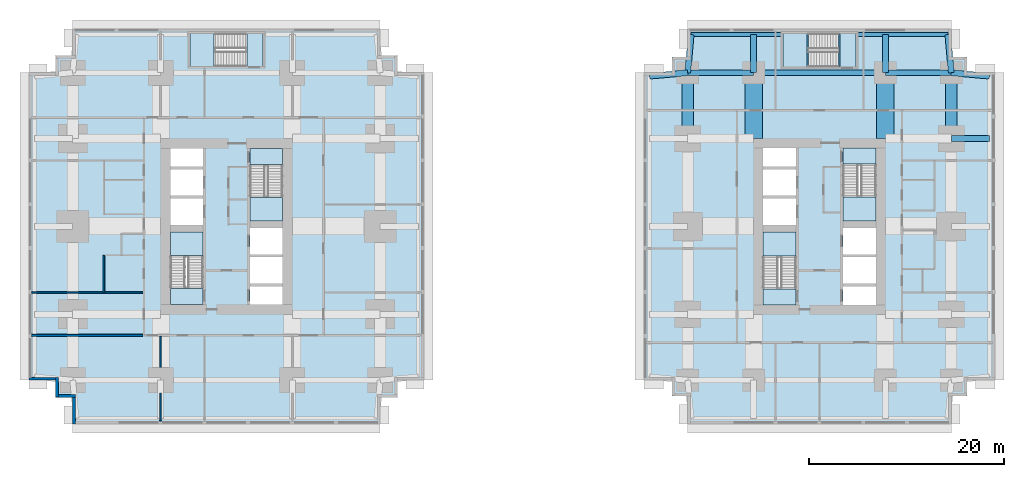
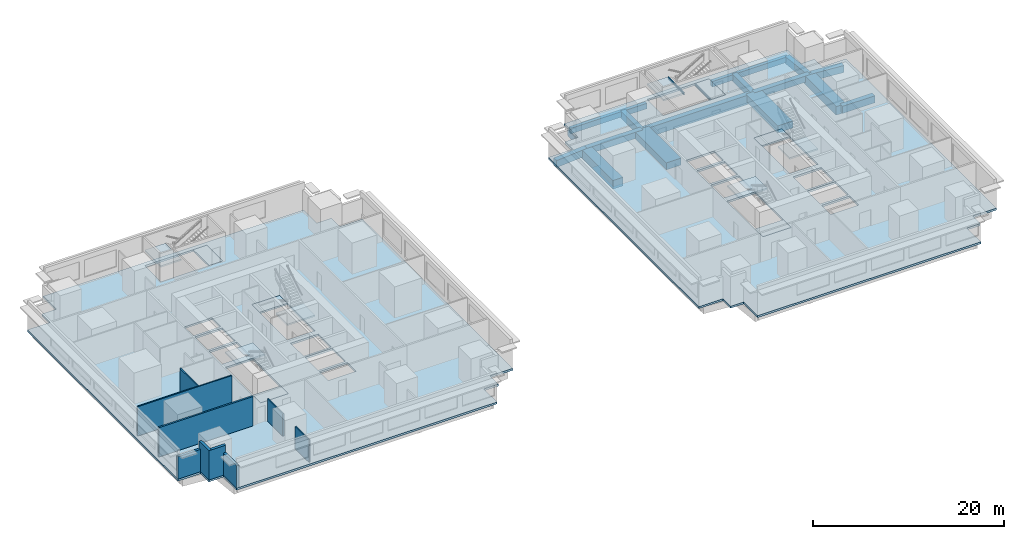
# One storey, part 2 of 11: 18 beams, 14 slabs, 9 walls, 6 elements without a shape of their own.
"""IFC4 building model written with IfcOpenShell, lengths in metres."""

from ifc_helpers import new_model, si_unit, direction, frame, frame_2d, origin, origin_2d, place, context, subcontext, project, spatial, polyline, rectangle, i_section, outline, extrude, material, layer, layer_set, material_profile, profile_set, type_object, element, aggregate, save


model = new_model("IFC4")

# Units and contexts
model_context = context("Model", 3, precision=1e-05, world=origin(), true_north=direction((0.0, 1.0)))
body_context = subcontext(model_context, "Body", "Model", "MODEL_VIEW")
ifc_project = project(units=[si_unit("LENGTHUNIT", "METRE"), si_unit("AREAUNIT", "SQUARE_METRE"), si_unit("VOLUMEUNIT", "CUBIC_METRE"), si_unit("PLANEANGLEUNIT", "RADIAN"), si_unit("MASSUNIT", "GRAM", prefix="KILO")], contexts=[model_context])

# Site, building, storey
site_placement = place(None, origin())
site = spatial("IfcSite", under=ifc_project, at=site_placement, CompositionType="ELEMENT")
building_placement = place(site_placement, origin())
building = spatial("IfcBuilding", under=site, at=building_placement, Name="Namib Vertical Campus", CompositionType="ELEMENT")
storey_placement = place(building_placement, frame((0.0, 0.0, 37.0)))
storey = spatial("IfcBuildingStorey", under=building, at=storey_placement, Name="L08", CompositionType="ELEMENT", Elevation=37.0)

# Beams
ifc_material_1 = material(Name="Concrete C40/50", Category="concrete")
ifc_material_profile_1 = material_profile(ifc_material_1, rectangle(XDim=0.60009765625, YDim=0.89990234375, at=origin_2d()))
ifc_profile_set_1 = profile_set([ifc_material_profile_1], Name="Concrete C40/50")
beam_type_1 = type_object("IfcBeamType", Name="Cantilever girder RC 600x900", PredefinedType="BEAM", material=ifc_profile_set_1)
beam_1_placement = place(storey_placement, frame((67.5, 36.0, -0.699951171875), z_axis=(0.089411326146, 0.995994786511, 0.0), x_axis=(-0.995994786511, 0.089411326146, 0.0)))
element("IfcBeam", 1, at=beam_1_placement, inside=storey, type_object=beam_type_1, Name="Beam B3 L08", PredefinedType="BEAM", context=body_context, shape_type="SweptSolid", body=[
    extrude(rectangle(XDim=0.60009765625, YDim=0.89990234375, at=origin_2d()), origin(), (0.0, 0.0, 1.0), 3.91552734375),
])
for number, where, z_axis, x_axis, name in (
    (2, (74.25, 36.0, -0.699951171875), (0.0, 1.0, 0.0), (-1.0, 0.0, 0.0), "Beam B3 L08"),
    (3, (87.75, 36.0, -0.699951171875), (0.0, 1.0, 0.0), (-1.0, 0.0, 0.0), "Beam B3 L08"),
):
    element("IfcBeam", number, at=place(storey_placement, frame(where, z_axis=z_axis, x_axis=x_axis)), inside=storey, type_object=beam_type_1, Name=name, PredefinedType="BEAM", context=body_context, shape_type="SweptSolid", body=[
        extrude(rectangle(XDim=0.60009765625, YDim=0.89990234375, at=origin_2d()), origin(), (0.0, 0.0, 1.0), 3.89990234375),
    ])
for number, where, z_axis, x_axis, name in (
    (4, (94.5, 36.0, -0.699951171875), (-0.089411326146, 0.995994786511, 0.0), (-0.995994786511, -0.089411326146, 0.0), "Beam B3 L08"),
    (5, (67.5, 36.0, -0.699951171875), (-0.995994786511, -0.089411326146, 0.0), (0.089411326146, -0.995994786511, 0.0), "Beam B3 L08"),
):
    element("IfcBeam", number, at=place(storey_placement, frame(where, z_axis=z_axis, x_axis=x_axis)), inside=storey, type_object=beam_type_1, Name=name, PredefinedType="BEAM", context=body_context, shape_type="SweptSolid", body=[
        extrude(rectangle(XDim=0.60009765625, YDim=0.89990234375, at=origin_2d()), origin(), (0.0, 0.0, 1.0), 3.91552734375),
    ])
beam_2_placement = place(storey_placement, frame((94.5, 29.25, -0.699951171875), z_axis=(1.0, 0.0, 0.0), x_axis=(0.0, 1.0, 0.0)))
element("IfcBeam", 6, at=beam_2_placement, inside=storey, type_object=beam_type_1, Name="Beam B3 L08", PredefinedType="BEAM", context=body_context, shape_type="SweptSolid", body=[
    extrude(rectangle(XDim=0.60009765625, YDim=0.89990234375, at=origin_2d()), origin(), (0.0, 0.0, 1.0), 3.89990234375),
])
beam_3_placement = place(storey_placement, frame((94.5, 36.0, -0.699951171875), z_axis=(0.995994786511, -0.089411326146, 0.0), x_axis=(0.089411326146, 0.995994786511, 0.0)))
element("IfcBeam", 7, at=beam_3_placement, inside=storey, type_object=beam_type_1, Name="Beam B3 L08", PredefinedType="BEAM", context=body_context, shape_type="SweptSolid", body=[
    extrude(rectangle(XDim=0.60009765625, YDim=0.89990234375, at=origin_2d()), origin(), (0.0, 0.0, 1.0), 3.91552734375),
])
ifc_material_2 = material(Name="Concrete C40/50", Category="concrete")
ifc_material_profile_2 = material_profile(ifc_material_2, rectangle(XDim=0.39990234375, YDim=0.699951171875, at=origin_2d()))
ifc_profile_set_2 = profile_set([ifc_material_profile_2], Name="Concrete C40/50")
beam_type_2 = type_object("IfcBeamType", Name="Edge beam RC 400x700", PredefinedType="SPANDREL", material=ifc_profile_set_2)
for number, where, z_axis, x_axis, name in (
    (8, (67.85009765625, 39.89990234375, -0.60009765625), (1.0, 0.0, 0.0), (0.0, 1.0, 0.0), "Beam B4 L08"),
    (9, (84.949951171875, 39.89990234375, -0.60009765625), (1.0, 0.0, 0.0), (0.0, 1.0, 0.0), "Beam B4 L08"),
):
    element("IfcBeam", number, at=place(storey_placement, frame(where, z_axis=z_axis, x_axis=x_axis)), inside=storey, type_object=beam_type_2, Name=name, PredefinedType="SPANDREL", context=body_context, shape_type="SweptSolid", body=[
        extrude(rectangle(XDim=0.39990234375, YDim=0.699951171875, at=origin_2d()), origin(), (0.0, 0.0, 1.0), 9.199951171875),
    ])
ifc_material_3 = material(Name="Concrete C40/50", Category="concrete")
ifc_material_profile_3 = material_profile(ifc_material_3, rectangle(XDim=1.199951171875, YDim=1.10009765625, at=origin_2d()))
ifc_profile_set_3 = profile_set([ifc_material_profile_3], Name="Concrete C40/50")
beam_type_3 = type_object("IfcBeamType", Name="Face ring beam RC 1200x1100", PredefinedType="BEAM", material=ifc_profile_set_3)
for number, where, z_axis, x_axis, name in (
    (10, (67.5, 29.25, -0.800048828125), (0.0, 1.0, 0.0), (-1.0, 0.0, 0.0), "Beam B11 L08"),
    (11, (94.5, 29.25, -0.800048828125), (0.0, 1.0, 0.0), (-1.0, 0.0, 0.0), "Beam B11 L08"),
):
    element("IfcBeam", number, at=place(storey_placement, frame(where, z_axis=z_axis, x_axis=x_axis)), inside=storey, type_object=beam_type_3, Name=name, PredefinedType="BEAM", context=body_context, shape_type="SweptSolid", body=[
        extrude(rectangle(XDim=1.199951171875, YDim=1.10009765625, at=origin_2d()), origin(), (0.0, 0.0, 1.0), 6.75),
    ])
ifc_material_4 = material(Name="Steel S355JR", Category="steel")
ifc_material_profile_4 = material_profile(ifc_material_4, i_section(OverallWidth=0.14599609375, OverallDepth=0.25146484375, WebThickness=0.006103515625, FlangeThickness=0.008544921875, FilletRadius=0.007568359375, at=origin_2d()))
ifc_profile_set_4 = profile_set([ifc_material_profile_4], Name="Steel S355JR")
beam_type_4 = type_object("IfcBeamType", Name="Landing trimmer UB 254x146x31", PredefinedType="BEAM", material=ifc_profile_set_4)
for number, where, z_axis, x_axis, name in (
    (12, (83.02294921875, 36.60009765625, -0.125732421875), (0.0, 1.0, 0.0), (-1.0, 0.0, 0.0), "Landing trimmer LT1 B-S3 L08 1"),
    (13, (79.796875, 36.60009765625, 1.874267578125), (0.0, 1.0, 0.0), (-1.0, 0.0, 0.0), "Landing trimmer LT1 B-S3 L08 2"),
):
    element("IfcBeam", number, at=place(storey_placement, frame(where, z_axis=z_axis, x_axis=x_axis)), inside=storey, type_object=beam_type_4, Name=name, PredefinedType="BEAM", context=body_context, shape_type="SweptSolid", body=[
        extrude(i_section(OverallWidth=0.14599609375, OverallDepth=0.25146484375, WebThickness=0.006103515625, FlangeThickness=0.008544921875, FilletRadius=0.007568359375, at=origin_2d()), origin(), (0.0, 0.0, 1.0), 3.39990234375),
    ])
ifc_material_5 = material(Name="Concrete C40/50", Category="concrete")
ifc_material_profile_5 = material_profile(ifc_material_5, rectangle(XDim=0.60009765625, YDim=1.199951171875, at=origin_2d()))
ifc_profile_set_5 = profile_set([ifc_material_profile_5], Name="Concrete C40/50")
beam_type_5 = type_object("IfcBeamType", Name="Long-span ring beam RC 600x1200", PredefinedType="BEAM", material=ifc_profile_set_5)
beam_4_placement = place(storey_placement, frame((74.25, 36.0, -0.85009765625), z_axis=(1.0, 0.0, 0.0), x_axis=(0.0, 1.0, 0.0)))
element("IfcBeam", 14, at=beam_4_placement, inside=storey, type_object=beam_type_5, Name="Beam B9 L08", PredefinedType="BEAM", context=body_context, shape_type="SweptSolid", body=[
    extrude(rectangle(XDim=0.60009765625, YDim=1.199951171875, at=origin_2d()), origin(), (0.0, 0.0, 1.0), 13.5),
])
ifc_material_6 = material(Name="Concrete C40/50", Category="concrete")
ifc_material_profile_6 = material_profile(ifc_material_6, rectangle(XDim=1.800048828125, YDim=0.89990234375, at=origin_2d()))
ifc_profile_set_6 = profile_set([ifc_material_profile_6], Name="Concrete C40/50")
beam_type_6 = type_object("IfcBeamType", Name="Outrigger line girder RC 1800x900", PredefinedType="BEAM", material=ifc_profile_set_6)
for number, where, z_axis, x_axis, name in (
    (15, (74.25, 36.0, -0.699951171875), (0.0, -1.0, 0.0), (1.0, 0.0, 0.0), "Beam B12 L08"),
    (16, (87.75, 36.0, -0.699951171875), (0.0, -1.0, 0.0), (1.0, 0.0, 0.0), "Beam B12 L08"),
):
    element("IfcBeam", number, at=place(storey_placement, frame(where, z_axis=z_axis, x_axis=x_axis)), inside=storey, type_object=beam_type_6, Name=name, PredefinedType="BEAM", context=body_context, shape_type="SweptSolid", body=[
        extrude(rectangle(XDim=1.800048828125, YDim=0.89990234375, at=origin_2d()), origin(), (0.0, 0.0, 1.0), 6.75),
    ])
ifc_material_7 = material(Name="Concrete C40/50", Category="concrete")
ifc_material_profile_7 = material_profile(ifc_material_7, rectangle(XDim=0.60009765625, YDim=0.800048828125, at=origin_2d()))
ifc_profile_set_7 = profile_set([ifc_material_profile_7], Name="Concrete C40/50")
beam_type_7 = type_object("IfcBeamType", Name="Ring beam RC 600x800", PredefinedType="BEAM", material=ifc_profile_set_7)
for number, where, z_axis, x_axis, name in (
    (17, (67.5, 36.0, -0.64990234375), (1.0, 0.0, 0.0), (0.0, 1.0, 0.0), "Beam B1 L08"),
    (18, (87.75, 36.0, -0.64990234375), (1.0, 0.0, 0.0), (0.0, 1.0, 0.0), "Beam B1 L08"),
):
    element("IfcBeam", number, at=place(storey_placement, frame(where, z_axis=z_axis, x_axis=x_axis)), inside=storey, type_object=beam_type_7, Name=name, PredefinedType="BEAM", context=body_context, shape_type="SweptSolid", body=[
        extrude(rectangle(XDim=0.60009765625, YDim=0.800048828125, at=origin_2d()), origin(), (0.0, 0.0, 1.0), 6.75),
    ])

# Slabs
ifc_material_8 = material(Name="Concrete C40/50", Category="concrete")
ifc_layer_1 = layer(ifc_material_8, 0.25)
ifc_layer_set_1 = layer_set([ifc_layer_1], Name="Concrete C40/50")
slab_type_1 = type_object("IfcSlabType", Name="Floor slab 250", PredefinedType="FLOOR", material=ifc_layer_set_1)
slab_1_placement = place(storey_placement, frame((0.0, 0.0, -0.25)))
element("IfcSlab", 19, at=slab_1_placement, inside=storey, type_object=slab_type_1, Name="Floor slab A L08", PredefinedType="FLOOR", context=body_context, shape_type="SweptSolid", body=[
    extrude(outline(polyline([(4.5, 0.0), (36.0, 0.0), (36.0, 2.75), (37.75, 2.75), (37.75, 4.5), (40.5, 4.5), (40.5, 36.0), (37.75, 36.0), (37.75, 37.75), (36.0, 37.75), (36.0, 40.5), (4.5, 40.5), (4.5, 37.75), (2.75, 37.75), (2.75, 36.0), (0.0, 36.0), (0.0, 4.5), (2.75, 4.5), (2.75, 2.75), (4.5, 2.75), (4.5, 0.0)]), holes=[polyline([(14.5, 12.25), (17.85009765625, 12.25), (17.85009765625, 19.699951171875), (14.5, 19.699951171875), (14.5, 12.25)]), polyline([(22.64990234375, 20.800048828125), (26.0, 20.800048828125), (26.0, 28.25), (22.64990234375, 28.25), (22.64990234375, 20.800048828125)]), polyline([(22.64990234375, 12.25), (26.0, 12.25), (26.0, 14.10009765625), (22.64990234375, 14.10009765625), (22.64990234375, 12.25)]), polyline([(14.5, 20.39990234375), (17.85009765625, 20.39990234375), (17.85009765625, 23.10009765625), (14.5, 23.10009765625), (14.5, 20.39990234375)]), polyline([(14.5, 23.39990234375), (17.85009765625, 23.39990234375), (17.85009765625, 26.10009765625), (14.5, 26.10009765625), (14.5, 23.39990234375)]), polyline([(14.5, 26.39990234375), (17.85009765625, 26.39990234375), (17.85009765625, 28.25), (14.5, 28.25), (14.5, 26.39990234375)]), polyline([(22.64990234375, 14.39990234375), (26.0, 14.39990234375), (26.0, 17.10009765625), (22.64990234375, 17.10009765625), (22.64990234375, 14.39990234375)]), polyline([(22.64990234375, 17.39990234375), (26.0, 17.39990234375), (26.0, 20.10009765625), (22.64990234375, 20.10009765625), (22.64990234375, 17.39990234375)]), polyline([(16.5, 36.64990234375), (24.0, 36.64990234375), (24.0, 40.0), (16.5, 40.0), (16.5, 36.64990234375)])]), origin(), (0.0, 0.0, 1.0), 0.25),
])
slab_2_placement = place(storey_placement, frame((0.0, 0.0, -0.25)))
element("IfcSlab", 20, at=slab_2_placement, inside=storey, type_object=slab_type_1, Name="Floor slab B L08", PredefinedType="FLOOR", context=body_context, shape_type="SweptSolid", body=[
    extrude(outline(polyline([(67.5, 0.0), (94.5, 0.0), (94.5, 2.89990234375), (96.10009765625, 2.89990234375), (96.10009765625, 4.5), (99.0, 4.5), (99.0, 36.0), (96.10009765625, 36.0), (96.10009765625, 37.60009765625), (94.5, 37.60009765625), (94.5, 40.5), (67.5, 40.5), (67.5, 37.60009765625), (65.89990234375, 37.60009765625), (65.89990234375, 36.0), (63.0, 36.0), (63.0, 4.5), (65.89990234375, 4.5), (65.89990234375, 2.89990234375), (67.5, 2.89990234375), (67.5, 0.0)]), holes=[polyline([(75.199951171875, 12.199951171875), (78.60009765625, 12.199951171875), (78.60009765625, 19.699951171875), (75.199951171875, 19.699951171875), (75.199951171875, 12.199951171875)]), polyline([(83.39990234375, 20.800048828125), (86.800048828125, 20.800048828125), (86.800048828125, 28.300048828125), (83.39990234375, 28.300048828125), (83.39990234375, 20.800048828125)]), polyline([(83.39990234375, 12.199951171875), (86.800048828125, 12.199951171875), (86.800048828125, 14.10009765625), (83.39990234375, 14.10009765625), (83.39990234375, 12.199951171875)]), polyline([(75.199951171875, 20.39990234375), (78.60009765625, 20.39990234375), (78.60009765625, 23.10009765625), (75.199951171875, 23.10009765625), (75.199951171875, 20.39990234375)]), polyline([(75.199951171875, 23.39990234375), (78.60009765625, 23.39990234375), (78.60009765625, 26.10009765625), (75.199951171875, 26.10009765625), (75.199951171875, 23.39990234375)]), polyline([(75.199951171875, 26.39990234375), (78.60009765625, 26.39990234375), (78.60009765625, 28.300048828125), (75.199951171875, 28.300048828125), (75.199951171875, 26.39990234375)]), polyline([(83.39990234375, 14.39990234375), (86.800048828125, 14.39990234375), (86.800048828125, 17.10009765625), (83.39990234375, 17.10009765625), (83.39990234375, 14.39990234375)]), polyline([(83.39990234375, 17.39990234375), (86.800048828125, 17.39990234375), (86.800048828125, 20.10009765625), (83.39990234375, 20.10009765625), (83.39990234375, 17.39990234375)]), polyline([(77.25, 36.60009765625), (84.75, 36.60009765625), (84.75, 40.0), (77.25, 40.0), (77.25, 36.60009765625)])]), origin(), (0.0, 0.0, 1.0), 0.25),
])

# Stair, slabs
ifc_material_9 = material(Name="Concrete C40/50 precast", Category="concrete")
stair_type_1 = type_object("IfcStairType", Name="Exit stair 4000 rise 24 risers 3350 wide", PredefinedType="HALF_TURN_STAIR", material=ifc_material_9)
stair_1_placement = place(storey_placement, origin())
stair_1 = element("IfcStair", 21, at=stair_1_placement, inside=storey, type_object=stair_type_1, Name="Exit stair A-S1 L08", PredefinedType="HALF_TURN_STAIR")
ifc_material_10 = material(Name="Concrete C40/50", Category="concrete")
ifc_layer_2 = layer(ifc_material_10, 0.199951171875)
ifc_layer_set_2 = layer_set([ifc_layer_2], Name="Concrete C40/50")
slab_type_2 = type_object("IfcSlabType", Name="Stair landing 200", PredefinedType="LANDING", material=ifc_layer_set_2)
slab_3_placement = place(storey_placement, frame((0.0, 0.0, -0.199951171875)))
slab_3 = element("IfcSlab", 22, at=slab_3_placement, type_object=slab_type_2, Name="A-S1 landing 1", PredefinedType="LANDING", context=body_context, shape_type="SweptSolid", body=[
    extrude(outline(polyline([(14.5, 12.25), (17.85009765625, 12.25), (17.85009765625, 13.90380859375), (14.5, 13.90380859375), (14.5, 12.25)])), origin(), (0.0, 0.0, 1.0), 0.199951171875),
])
slab_4_placement = place(storey_placement, frame((0.0, 0.0, 1.800048828125)))
slab_4 = element("IfcSlab", 23, at=slab_4_placement, type_object=slab_type_2, Name="A-S1 landing 2", PredefinedType="LANDING", context=body_context, shape_type="SweptSolid", body=[
    extrude(outline(polyline([(14.5, 17.276123046875), (17.85009765625, 17.276123046875), (17.85009765625, 19.699951171875), (14.5, 19.699951171875), (14.5, 17.276123046875)])), origin(), (0.0, 0.0, 1.0), 0.199951171875),
])
aggregate(stair_1, [slab_3, slab_4])

stair_2_placement = place(storey_placement, origin())
stair_2 = element("IfcStair", 24, at=stair_2_placement, inside=storey, type_object=stair_type_1, Name="Exit stair A-S2 L08", PredefinedType="HALF_TURN_STAIR")
slab_5_placement = place(storey_placement, frame((0.0, 0.0, -0.199951171875)))
slab_5 = element("IfcSlab", 25, at=slab_5_placement, type_object=slab_type_2, Name="A-S2 landing 1", PredefinedType="LANDING", context=body_context, shape_type="SweptSolid", body=[
    extrude(outline(polyline([(22.64990234375, 26.59619140625), (26.0, 26.59619140625), (26.0, 28.25), (22.64990234375, 28.25), (22.64990234375, 26.59619140625)])), origin(), (0.0, 0.0, 1.0), 0.199951171875),
])
slab_6_placement = place(storey_placement, frame((0.0, 0.0, 1.800048828125)))
slab_6 = element("IfcSlab", 26, at=slab_6_placement, type_object=slab_type_2, Name="A-S2 landing 2", PredefinedType="LANDING", context=body_context, shape_type="SweptSolid", body=[
    extrude(outline(polyline([(22.64990234375, 20.800048828125), (26.0, 20.800048828125), (26.0, 23.223876953125), (22.64990234375, 23.223876953125), (22.64990234375, 20.800048828125)])), origin(), (0.0, 0.0, 1.0), 0.199951171875),
])
aggregate(stair_2, [slab_5, slab_6])

ifc_material_11 = material(Name="Concrete C40/50 precast", Category="concrete")
stair_type_2 = type_object("IfcStairType", Name="Exit stair 4000 rise 24 risers 3400 wide", PredefinedType="HALF_TURN_STAIR", material=ifc_material_11)
stair_3_placement = place(storey_placement, origin())
stair_3 = element("IfcStair", 27, at=stair_3_placement, inside=storey, type_object=stair_type_2, Name="Exit stair B-S1 L08", PredefinedType="HALF_TURN_STAIR")
slab_7_placement = place(storey_placement, frame((0.0, 0.0, -0.199951171875)))
slab_7 = element("IfcSlab", 28, at=slab_7_placement, type_object=slab_type_2, Name="B-S1 landing 1", PredefinedType="LANDING", context=body_context, shape_type="SweptSolid", body=[
    extrude(outline(polyline([(75.199951171875, 12.199951171875), (78.60009765625, 12.199951171875), (78.60009765625, 13.85400390625), (75.199951171875, 13.85400390625), (75.199951171875, 12.199951171875)])), origin(), (0.0, 0.0, 1.0), 0.199951171875),
])
slab_8_placement = place(storey_placement, frame((0.0, 0.0, 1.800048828125)))
slab_8 = element("IfcSlab", 29, at=slab_8_placement, type_object=slab_type_2, Name="B-S1 landing 2", PredefinedType="LANDING", context=body_context, shape_type="SweptSolid", body=[
    extrude(outline(polyline([(75.199951171875, 17.22607421875), (78.60009765625, 17.22607421875), (78.60009765625, 19.699951171875), (75.199951171875, 19.699951171875), (75.199951171875, 17.22607421875)])), origin(), (0.0, 0.0, 1.0), 0.199951171875),
])
aggregate(stair_3, [slab_7, slab_8])

stair_4_placement = place(storey_placement, origin())
stair_4 = element("IfcStair", 30, at=stair_4_placement, inside=storey, type_object=stair_type_2, Name="Exit stair B-S2 L08", PredefinedType="HALF_TURN_STAIR")
slab_9_placement = place(storey_placement, frame((0.0, 0.0, -0.199951171875)))
slab_9 = element("IfcSlab", 31, at=slab_9_placement, type_object=slab_type_2, Name="B-S2 landing 1", PredefinedType="LANDING", context=body_context, shape_type="SweptSolid", body=[
    extrude(outline(polyline([(83.39990234375, 26.64599609375), (86.800048828125, 26.64599609375), (86.800048828125, 28.300048828125), (83.39990234375, 28.300048828125), (83.39990234375, 26.64599609375)])), origin(), (0.0, 0.0, 1.0), 0.199951171875),
])
slab_10_placement = place(storey_placement, frame((0.0, 0.0, 1.800048828125)))
slab_10 = element("IfcSlab", 32, at=slab_10_placement, type_object=slab_type_2, Name="B-S2 landing 2", PredefinedType="LANDING", context=body_context, shape_type="SweptSolid", body=[
    extrude(outline(polyline([(83.39990234375, 20.800048828125), (86.800048828125, 20.800048828125), (86.800048828125, 23.27392578125), (83.39990234375, 23.27392578125), (83.39990234375, 20.800048828125)])), origin(), (0.0, 0.0, 1.0), 0.199951171875),
])
aggregate(stair_4, [slab_9, slab_10])

stair_5_placement = place(storey_placement, origin())
stair_5 = element("IfcStair", 33, at=stair_5_placement, inside=storey, type_object=stair_type_1, Name="Exit stair A-S3 L08", PredefinedType="HALF_TURN_STAIR")
slab_11_placement = place(storey_placement, frame((0.0, 0.0, -0.199951171875)))
slab_11 = element("IfcSlab", 34, at=slab_11_placement, type_object=slab_type_2, Name="A-S3 landing 1", PredefinedType="LANDING", context=body_context, shape_type="SweptSolid", body=[
    extrude(outline(polyline([(22.34619140625, 36.64990234375), (22.34619140625, 40.0), (24.0, 40.0), (24.0, 36.64990234375), (22.34619140625, 36.64990234375)])), origin(), (0.0, 0.0, 1.0), 0.199951171875),
])
slab_12_placement = place(storey_placement, frame((0.0, 0.0, 1.800048828125)))
slab_12 = element("IfcSlab", 35, at=slab_12_placement, type_object=slab_type_2, Name="A-S3 landing 2", PredefinedType="LANDING", context=body_context, shape_type="SweptSolid", body=[
    extrude(outline(polyline([(16.5, 36.64990234375), (16.5, 40.0), (18.973876953125, 40.0), (18.973876953125, 36.64990234375), (16.5, 36.64990234375)])), origin(), (0.0, 0.0, 1.0), 0.199951171875),
])
aggregate(stair_5, [slab_11, slab_12])

stair_6_placement = place(storey_placement, origin())
stair_6 = element("IfcStair", 36, at=stair_6_placement, inside=storey, type_object=stair_type_2, Name="Exit stair B-S3 L08", PredefinedType="HALF_TURN_STAIR")
slab_13_placement = place(storey_placement, frame((0.0, 0.0, -0.199951171875)))
slab_13 = element("IfcSlab", 37, at=slab_13_placement, type_object=slab_type_2, Name="B-S3 landing 1", PredefinedType="LANDING", context=body_context, shape_type="SweptSolid", body=[
    extrude(outline(polyline([(83.09619140625, 36.60009765625), (83.09619140625, 40.0), (84.75, 40.0), (84.75, 36.60009765625), (83.09619140625, 36.60009765625)])), origin(), (0.0, 0.0, 1.0), 0.199951171875),
])
slab_14_placement = place(storey_placement, frame((0.0, 0.0, 1.800048828125)))
slab_14 = element("IfcSlab", 38, at=slab_14_placement, type_object=slab_type_2, Name="B-S3 landing 2", PredefinedType="LANDING", context=body_context, shape_type="SweptSolid", body=[
    extrude(outline(polyline([(77.25, 36.60009765625), (77.25, 40.0), (79.723876953125, 40.0), (79.723876953125, 36.60009765625), (77.25, 36.60009765625)])), origin(), (0.0, 0.0, 1.0), 0.199951171875),
])
aggregate(stair_6, [slab_13, slab_14])

# Walls
ifc_material_12 = material(Name="Concrete masonry", Category="masonry")
ifc_layer_3 = layer(ifc_material_12, 0.199951171875)
ifc_layer_set_3 = layer_set([ifc_layer_3], Name="Corridor wall 200")
wall_type_1 = type_object("IfcWallType", Name="Corridor wall 200", PredefinedType="SOLIDWALL", material=ifc_layer_set_3)
wall_1_placement = place(storey_placement, frame((0.300048828125, 9.10009765625, 0.0), z_axis=(0.0, 0.0, 1.0), x_axis=(1.0, 0.0, 0.0)))
element("IfcWall", 39, at=wall_1_placement, inside=storey, type_object=wall_type_1, Name="Partition A L08 BSW", PredefinedType="SOLIDWALL", context=body_context, shape_type="SweptSolid", body=[
    extrude(rectangle(XDim=11.39990234375, YDim=0.199951171875, at=frame_2d((5.699951171875, 0.0))), origin(), (0.0, 0.0, 1.0), 3.75),
])
ifc_material_13 = material(Name="Concrete C40/50", Category="concrete")
ifc_layer_4 = layer(ifc_material_13, 0.300048828125)
ifc_layer_set_4 = layer_set([ifc_layer_4], Name="Concrete C40/50")
wall_type_2 = type_object("IfcWallType", Name="External wall 300 board-marked concrete", PredefinedType="STANDARD", material=ifc_layer_set_4)
wall_2_placement = place(storey_placement, frame((0.02001953125, 4.64990234375, 0.0), z_axis=(0.0, 0.0, 1.0), x_axis=(1.0, 0.0, 0.0)))
element("IfcWall", 40, at=wall_2_placement, inside=storey, type_object=wall_type_2, Name="External wall L08 F17", PredefinedType="STANDARD", context=body_context, shape_type="SweptSolid", body=[
    extrude(rectangle(XDim=3.010009765625, YDim=0.300048828125, at=frame_2d((1.5048828125, 0.0))), origin(), (0.0, 0.0, 1.0), 2.85009765625),
])
for number, where, z_axis, x_axis, name in (
    (41, (2.89990234375, 4.780029296875, 0.0), (0.0, 0.0, 1.0), (0.0, -1.0, 0.0), "External wall L08 F18"),
    (42, (2.77001953125, 2.89990234375, 0.0), (0.0, 0.0, 1.0), (1.0, 0.0, 0.0), "External wall L08 F19"),
):
    element("IfcWall", number, at=place(storey_placement, frame(where, z_axis=z_axis, x_axis=x_axis)), inside=storey, type_object=wall_type_2, Name=name, PredefinedType="STANDARD", context=body_context, shape_type="SweptSolid", body=[
        extrude(rectangle(XDim=2.010009765625, YDim=0.300048828125, at=frame_2d((1.0048828125, 0.0))), origin(), (0.0, 0.0, 1.0), 3.75),
    ])
wall_3_placement = place(storey_placement, frame((4.64990234375, 3.030029296875, 0.0), z_axis=(0.0, 0.0, 1.0), x_axis=(0.0, -1.0, 0.0)))
element("IfcWall", 43, at=wall_3_placement, inside=storey, type_object=wall_type_2, Name="External wall L08 F20", PredefinedType="STANDARD", context=body_context, shape_type="SweptSolid", body=[
    extrude(rectangle(XDim=3.010009765625, YDim=0.300048828125, at=frame_2d((1.5048828125, 0.0))), origin(), (0.0, 0.0, 1.0), 2.85009765625),
])
ifc_material_14 = material(Name="Gypsum board on steel studs", Category="steel")
ifc_layer_5 = layer(ifc_material_14, 0.14990234375)
ifc_layer_set_5 = layer_set([ifc_layer_5], Name="Gypsum board on steel studs")
wall_type_3 = type_object("IfcWallType", Name="Partition 150", PredefinedType="PARTITIONING", material=ifc_layer_set_5)
wall_4_placement = place(storey_placement, frame((13.5, 0.300048828125, 0.0), z_axis=(0.0, 0.0, 1.0), x_axis=(0.0, 1.0, 0.0)))
element("IfcWall", 44, at=wall_4_placement, inside=storey, type_object=wall_type_3, Name="Partition A L08 PS1", PredefinedType="PARTITIONING", context=body_context, shape_type="SweptSolid", body=[
    extrude(rectangle(XDim=2.8798828125, YDim=0.14990234375, at=frame_2d((1.43994140625, 0.0))), origin(), (0.0, 0.0, 1.0), 2.85009765625),
])
wall_5_placement = place(storey_placement, frame((13.5, 5.820068359375, 0.0), z_axis=(0.0, 0.0, 1.0), x_axis=(0.0, 1.0, 0.0)))
element("IfcWall", 45, at=wall_5_placement, inside=storey, type_object=wall_type_3, Name="Partition A L08 PS1", PredefinedType="PARTITIONING", context=body_context, shape_type="SweptSolid", body=[
    extrude(rectangle(XDim=3.179931640625, YDim=0.14990234375, at=frame_2d((1.58984375, 0.0))), origin(), (0.0, 0.0, 1.0), 2.85009765625),
])
wall_6_placement = place(storey_placement, frame((0.300048828125, 13.5, 0.0), z_axis=(0.0, 0.0, 1.0), x_axis=(1.0, 0.0, 0.0)))
element("IfcWall", 46, at=wall_6_placement, inside=storey, type_object=wall_type_3, Name="Partition A L08 PW1", PredefinedType="PARTITIONING", context=body_context, shape_type="SweptSolid", body=[
    extrude(rectangle(XDim=11.39990234375, YDim=0.14990234375, at=frame_2d((5.699951171875, 0.0))), origin(), (0.0, 0.0, 1.0), 3.75),
])
wall_7_placement = place(storey_placement, frame((7.699951171875, 13.5, 0.0), z_axis=(0.0, 0.0, 1.0), x_axis=(0.0, 1.0, 0.0)))
element("IfcWall", 47, at=wall_7_placement, inside=storey, type_object=wall_type_3, Name="Partition A L08 WB1", PredefinedType="PARTITIONING", context=body_context, shape_type="SweptSolid", body=[
    extrude(rectangle(XDim=3.800048828125, YDim=0.14990234375, at=frame_2d((1.89990234375, 0.0))), origin(), (0.0, 0.0, 1.0), 3.75),
])

save(model, "model.ifc")
